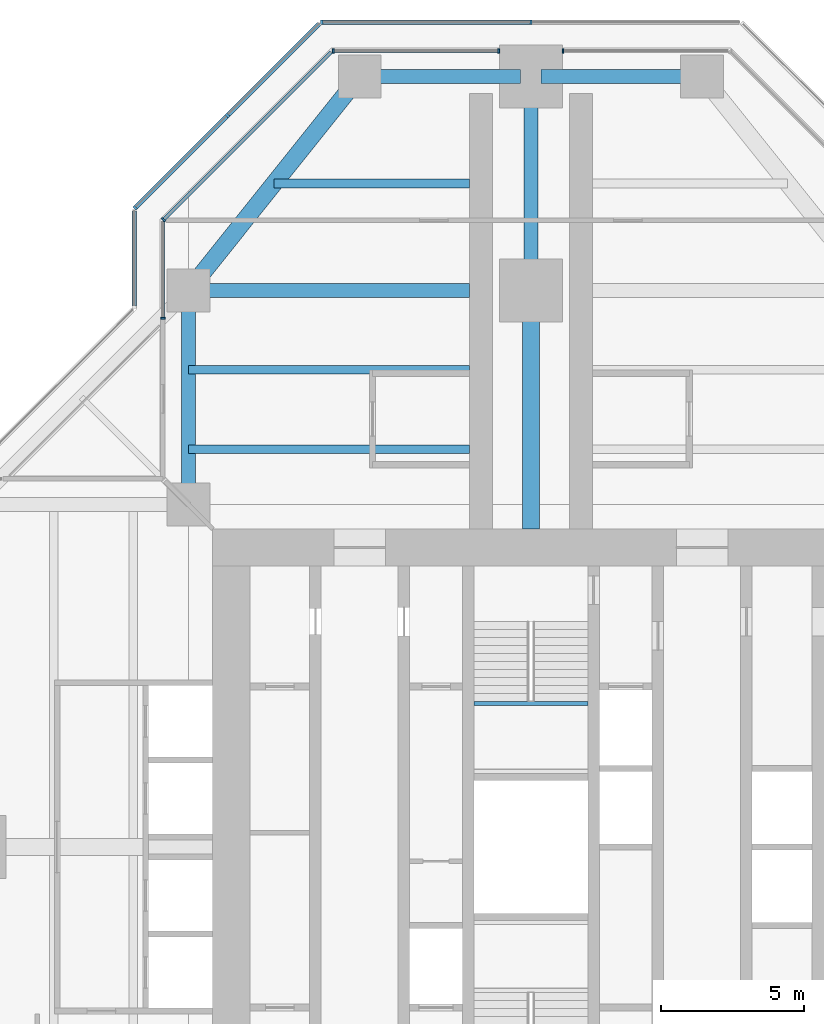
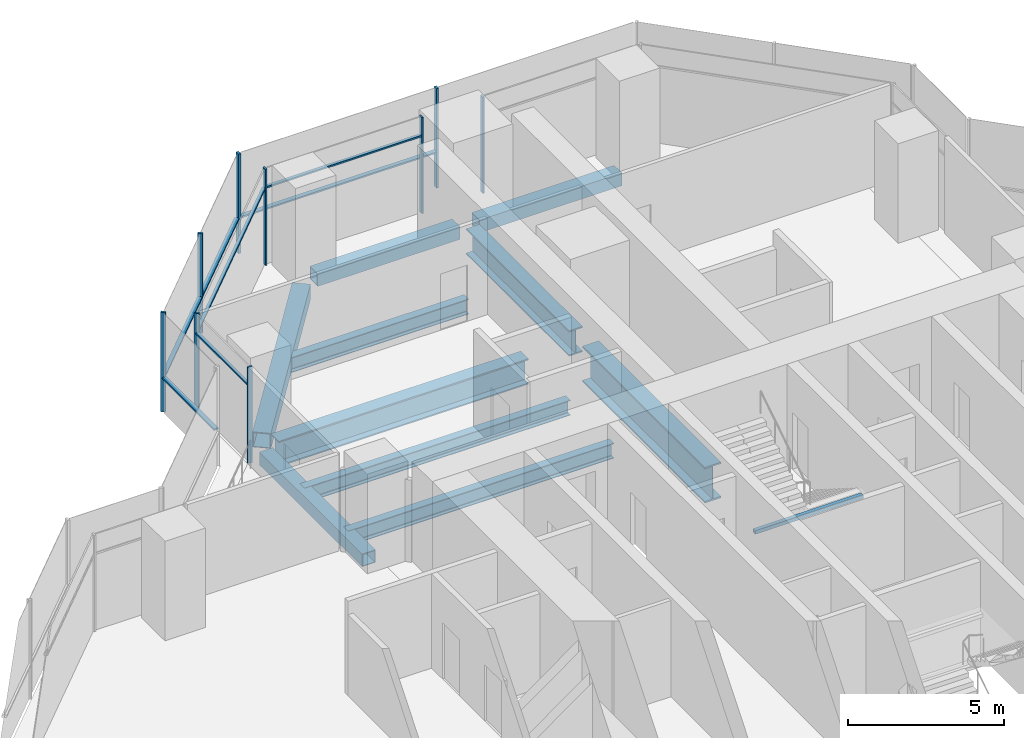
# One storey, part 7 of 17: 16 members, 11 beams, 7 elements without a shape of their own.
"""IFC4 building model written with IfcOpenShell, lengths in metres."""

from ifc_helpers import new_model, si_unit, direction, frame, origin, origin_2d, place, context, subcontext, project, spatial, rectangle, hollow_rectangle, i_section, extrude, material, material_profile, profile_set, type_object, element, aggregate, save


model = new_model("IFC4")

# Units and contexts
model_context = context("Model", 3, precision=1e-05, world=origin(), true_north=direction((0.0, 1.0)))
body_context = subcontext(model_context, "Body", "Model", "MODEL_VIEW")
ifc_project = project(units=[si_unit("LENGTHUNIT", "METRE"), si_unit("AREAUNIT", "SQUARE_METRE"), si_unit("VOLUMEUNIT", "CUBIC_METRE"), si_unit("PLANEANGLEUNIT", "RADIAN"), si_unit("MASSUNIT", "GRAM", prefix="KILO")], contexts=[model_context])

# Site, building, storey
site_placement = place(None, origin())
site = spatial("IfcSite", under=ifc_project, at=site_placement, CompositionType="ELEMENT")
building_placement = place(site_placement, origin())
building = spatial("IfcBuilding", under=site, at=building_placement, Name="Mizan Broadcast Tower", CompositionType="ELEMENT")
storey_placement = place(building_placement, frame((0.0, 0.0, 228.300048828125)))
storey = spatial("IfcBuildingStorey", under=building, at=storey_placement, Name="L53", CompositionType="ELEMENT", Elevation=228.300048828125)

# Beams
ifc_material_1 = material(Name="Steel S355", Category="steel")
ifc_material_profile_1 = material_profile(ifc_material_1, hollow_rectangle(XDim=0.5, YDim=0.5, WallThickness=0.030029296875, at=origin_2d()), Name="BOX 500x500x30")
ifc_profile_set_1 = profile_set([ifc_material_profile_1], Name="Steel S355")
beam_type_1 = type_object("IfcBeamType", Name="EDGE BEAM BOX 500x500x30", PredefinedType="SPANDREL", material=ifc_profile_set_1)
beam_1_placement = place(storey_placement, frame((5.639892578125, 27.0, -0.380126953125), z_axis=(-1.0, 0.0, 0.0), x_axis=(0.0, -1.0, 0.0)))
element("IfcBeam", 1, at=beam_1_placement, inside=storey, type_object=beam_type_1, Name="Edge beam BOX 500x500x30 L53 north arm", PredefinedType="SPANDREL", context=body_context, shape_type="SweptSolid", body=[
    extrude(hollow_rectangle(XDim=0.5, YDim=0.5, WallThickness=0.030029296875, at=origin_2d()), origin(), (0.0, 0.0, 1.0), 5.27978515625),
])
beam_2_placement = place(storey_placement, frame((-12.0, 12.449951171875, -0.380126953125), z_axis=(0.0, 1.0, 0.0), x_axis=(-1.0, 0.0, 0.0)))
element("IfcBeam", 2, at=beam_2_placement, inside=storey, type_object=beam_type_1, Name="Edge beam BOX 500x500x30 L53 north arm", PredefinedType="SPANDREL", context=body_context, shape_type="SweptSolid", body=[
    extrude(hollow_rectangle(XDim=0.5, YDim=0.5, WallThickness=0.030029296875, at=origin_2d()), origin(), (0.0, 0.0, 1.0), 6.60009765625),
])
beam_3_placement = place(storey_placement, frame((-5.639892578125, 27.0, -0.380126953125), z_axis=(1.0, 0.0, 0.0), x_axis=(0.0, 1.0, 0.0)))
element("IfcBeam", 3, at=beam_3_placement, inside=storey, type_object=beam_type_1, Name="Edge beam BOX 500x500x30 L53 north arm", PredefinedType="SPANDREL", context=body_context, shape_type="SweptSolid", body=[
    extrude(hollow_rectangle(XDim=0.5, YDim=0.5, WallThickness=0.030029296875, at=origin_2d()), origin(), (0.0, 0.0, 1.0), 5.27978515625),
])
ifc_material_2 = material(Name="Steel S355", Category="steel")
ifc_material_profile_2 = material_profile(ifc_material_2, hollow_rectangle(XDim=0.60009765625, YDim=0.60009765625, WallThickness=0.030029296875, at=origin_2d()), Name="BOX 600x600x30")
ifc_profile_set_2 = profile_set([ifc_material_profile_2], Name="Steel S355")
beam_type_2 = type_object("IfcBeamType", Name="EDGE BEAM BOX 600x600x30", PredefinedType="SPANDREL", material=ifc_profile_set_2)
beam_4_placement = place(storey_placement, frame((-11.639892578125, 19.949951171875, -0.429931640625), z_axis=(0.624673911726, 0.780885717636, 0.0), x_axis=(-0.780885717636, 0.624673911726, 0.0)))
element("IfcBeam", 4, at=beam_4_placement, inside=storey, type_object=beam_type_2, Name="Edge beam BOX 600x600x30 L53 north arm", PredefinedType="SPANDREL", context=body_context, shape_type="SweptSolid", body=[
    extrude(hollow_rectangle(XDim=0.60009765625, YDim=0.60009765625, WallThickness=0.030029296875, at=origin_2d()), origin(), (0.0, 0.0, 1.0), 8.4521484375),
])
ifc_material_3 = material(Name="Steel S460", Category="steel")
ifc_material_profile_3 = material_profile(ifc_material_3, i_section(OverallWidth=0.5, OverallDepth=1.0, WebThickness=0.02490234375, FlangeThickness=0.050048828125, at=origin_2d()), Name="WPG 1000x500")
ifc_profile_set_3 = profile_set([ifc_material_profile_3], Name="Steel S460")
beam_type_3 = type_object("IfcBeamType", Name="GIRDER WPG 1000x500", PredefinedType="BEAM", material=ifc_profile_set_3)
beam_5_placement = place(storey_placement, frame((0.0, 19.949951171875, -0.630126953125), z_axis=(0.0, 1.0, 0.0), x_axis=(-1.0, 0.0, 0.0)))
element("IfcBeam", 5, at=beam_5_placement, inside=storey, type_object=beam_type_3, Name="Girder WPG 1000x500 L53 north arm", PredefinedType="BEAM", context=body_context, shape_type="SweptSolid", body=[
    extrude(i_section(OverallWidth=0.5, OverallDepth=1.0, WebThickness=0.02490234375, FlangeThickness=0.050048828125, at=origin_2d()), origin(), (0.0, 0.0, 1.0), 6.60009765625),
])
beam_6_placement = place(storey_placement, frame((-11.408935546875, 19.5, -0.630126953125), z_axis=(1.0, 0.0, 0.0), x_axis=(0.0, 1.0, 0.0)))
element("IfcBeam", 6, at=beam_6_placement, inside=storey, type_object=beam_type_3, Name="Girder WPG 1000x500 L53 north arm", PredefinedType="BEAM", context=body_context, shape_type="SweptSolid", body=[
    extrude(i_section(OverallWidth=0.5, OverallDepth=1.0, WebThickness=0.02490234375, FlangeThickness=0.050048828125, at=origin_2d()), origin(), (0.0, 0.0, 1.0), 9.259033203125),
])
ifc_material_4 = material(Name="Steel S460", Category="steel")
ifc_material_profile_4 = material_profile(ifc_material_4, i_section(OverallWidth=0.60009765625, OverallDepth=1.39990234375, WebThickness=0.02490234375, FlangeThickness=0.06005859375, at=origin_2d()), Name="WPG 1400x600")
ifc_profile_set_4 = profile_set([ifc_material_profile_4], Name="Steel S460")
beam_type_4 = type_object("IfcBeamType", Name="GIRDER WPG 1400x600", PredefinedType="BEAM", material=ifc_profile_set_4)
beam_7_placement = place(storey_placement, frame((0.0, 11.14990234375, -0.830078125), z_axis=(0.0, 1.0, 0.0), x_axis=(-1.0, 0.0, 0.0)))
element("IfcBeam", 7, at=beam_7_placement, inside=storey, type_object=beam_type_4, Name="Girder WPG 1400x600 L53 north arm", PredefinedType="BEAM", context=body_context, shape_type="SweptSolid", body=[
    extrude(i_section(OverallWidth=0.60009765625, OverallDepth=1.39990234375, WebThickness=0.02490234375, FlangeThickness=0.06005859375, at=origin_2d()), origin(), (0.0, 0.0, 1.0), 7.84912109375),
])

# Curtain wall, member
ifc_material_5 = material(Name="Aluminium framed glazing", Category="aluminium")
curtain_wall_type_1 = type_object("IfcCurtainWallType", Name="INNER SKIN HIGH ZONE", PredefinedType="USERDEFINED", material=ifc_material_5)
curtain_wall_1_placement = place(storey_placement, origin())
curtain_wall_1 = element("IfcCurtainWall", 8, at=curtain_wall_1_placement, inside=storey, type_object=curtain_wall_type_1, Name="Inner skin high zone L53 N end", ObjectType="INNER SKIN HIGH ZONE", PredefinedType="USERDEFINED")
ifc_material_6 = material(Name="Aluminium, pale anodised", Category="aluminium")
ifc_material_profile_5 = material_profile(ifc_material_6, rectangle(XDim=0.159912109375, YDim=0.06005859375, at=origin_2d()), Name="MULLION 160x60")
ifc_profile_set_5 = profile_set([ifc_material_profile_5], Name="Aluminium, pale anodised")
member_type_1 = type_object("IfcMemberType", Name="INNER SKIN MULLION 60x160", PredefinedType="MULLION", material=ifc_profile_set_5)
member_1_placement = place(storey_placement, frame((1.1298828125, 27.89990234375, 0.0), z_axis=(0.0, 0.0, 1.0), x_axis=(0.0, -1.0, 0.0)))
member_1 = element("IfcMember", 9, at=member_1_placement, type_object=member_type_1, Name="Inner skin high zone L53 N end mullion 2", PredefinedType="MULLION", context=body_context, shape_type="SweptSolid", body=[
    extrude(rectangle(XDim=0.159912109375, YDim=0.06005859375, at=origin_2d()), origin(), (0.0, 0.0, 1.0), 3.77001953125),
])
aggregate(curtain_wall_1, [member_1])

# Curtain wall, members
curtain_wall_2_placement = place(storey_placement, origin())
curtain_wall_2 = element("IfcCurtainWall", 10, at=curtain_wall_2_placement, inside=storey, type_object=curtain_wall_type_1, Name="Inner skin high zone L53 N end", ObjectType="INNER SKIN HIGH ZONE", PredefinedType="USERDEFINED")
member_2_placement = place(storey_placement, frame((-1.1298828125, 27.89990234375, 0.0), z_axis=(0.0, 0.0, 1.0), x_axis=(0.0, -1.0, 0.0)))
member_2 = element("IfcMember", 11, at=member_2_placement, type_object=member_type_1, Name="Inner skin high zone L53 N end mullion 1", PredefinedType="MULLION", context=body_context, shape_type="SweptSolid", body=[
    extrude(rectangle(XDim=0.159912109375, YDim=0.06005859375, at=origin_2d()), origin(), (0.0, 0.0, 1.0), 3.77001953125),
])
member_3_placement = place(storey_placement, frame((-6.928466796875, 27.89990234375, 0.0), z_axis=(0.0, 0.0, 1.0), x_axis=(0.0, -1.0, 0.0)))
member_3 = element("IfcMember", 12, at=member_3_placement, type_object=member_type_1, Name="Inner skin high zone L53 N end mullion 2", PredefinedType="MULLION", context=body_context, shape_type="SweptSolid", body=[
    extrude(rectangle(XDim=0.159912109375, YDim=0.06005859375, at=origin_2d()), origin(), (0.0, 0.0, 1.0), 3.77001953125),
])

# Curtain wall, member
curtain_wall_3_placement = place(storey_placement, origin())
curtain_wall_3 = element("IfcCurtainWall", 13, at=curtain_wall_3_placement, inside=storey, type_object=curtain_wall_type_1, Name="Inner skin high zone L53 N chamfer", ObjectType="INNER SKIN HIGH ZONE", PredefinedType="USERDEFINED")
member_4_placement = place(storey_placement, frame((-12.87890625, 21.979736328125, 0.0), z_axis=(0.0, 0.0, 1.0), x_axis=(0.707106781187, -0.707106781187, 0.0)))
member_4 = element("IfcMember", 14, at=member_4_placement, type_object=member_type_1, Name="Inner skin high zone L53 N chamfer mullion 2", PredefinedType="MULLION", context=body_context, shape_type="SweptSolid", body=[
    extrude(rectangle(XDim=0.159912109375, YDim=0.06005859375, at=origin_2d()), origin(), (0.0, 0.0, 1.0), 3.77001953125),
])

curtain_wall_4_placement = place(storey_placement, origin())
curtain_wall_4 = element("IfcCurtainWall", 15, at=curtain_wall_4_placement, inside=storey, type_object=curtain_wall_type_1, Name="Inner skin high zone L53 N side", ObjectType="INNER SKIN HIGH ZONE", PredefinedType="USERDEFINED")
member_5_placement = place(storey_placement, frame((-12.89990234375, 18.530029296875, 0.0), z_axis=(0.0, 0.0, 1.0), x_axis=(1.0, 0.0, 0.0)))
member_5 = element("IfcMember", 16, at=member_5_placement, type_object=member_type_1, Name="Inner skin high zone L53 N side mullion 2", PredefinedType="MULLION", context=body_context, shape_type="SweptSolid", body=[
    extrude(rectangle(XDim=0.159912109375, YDim=0.06005859375, at=origin_2d()), origin(), (0.0, 0.0, 1.0), 3.77001953125),
])

# Member
ifc_material_7 = material(Name="Aluminium, pale anodised", Category="aluminium")
ifc_material_profile_6 = material_profile(ifc_material_7, rectangle(XDim=0.1201171875, YDim=0.06005859375, at=origin_2d()), Name="TRANSOM 120x60")
ifc_profile_set_6 = profile_set([ifc_material_profile_6], Name="Aluminium, pale anodised")
member_type_2 = type_object("IfcMemberType", Name="INNER SKIN TRANSOM 60x120", PredefinedType="USERDEFINED", material=ifc_profile_set_6)
member_6_placement = place(storey_placement, frame((-1.159912109375, 27.89990234375, 3.030029296875), z_axis=(-1.0, 0.0, 0.0), x_axis=(0.0, -1.0, 0.0)))
member_6 = element("IfcMember", 17, at=member_6_placement, type_object=member_type_2, Name="Inner skin high zone L53 N end transom 1.1", ObjectType="TRANSOM", PredefinedType="USERDEFINED", context=body_context, shape_type="SweptSolid", body=[
    extrude(rectangle(XDim=0.1201171875, YDim=0.06005859375, at=origin_2d()), origin(), (0.0, 0.0, 1.0), 5.73876953125),
])

aggregate(curtain_wall_2, [member_2, member_3, member_6])

member_7_placement = place(storey_placement, frame((-7.0009765625, 27.857666015625, 3.030029296875), z_axis=(-0.707106781187, -0.707106781187, 0.0), x_axis=(0.707106781187, -0.707106781187, 0.0)))
member_7 = element("IfcMember", 18, at=member_7_placement, type_object=member_type_2, Name="Inner skin high zone L53 N chamfer transom 1.1", ObjectType="TRANSOM", PredefinedType="USERDEFINED", context=body_context, shape_type="SweptSolid", body=[
    extrude(rectangle(XDim=0.1201171875, YDim=0.06005859375, at=origin_2d()), origin(), (0.0, 0.0, 1.0), 8.28271484375),
])

aggregate(curtain_wall_3, [member_4, member_7])

member_8_placement = place(storey_placement, frame((-12.89990234375, 21.898681640625, 3.030029296875), z_axis=(0.0, -1.0, 0.0), x_axis=(1.0, 0.0, 0.0)))
member_8 = element("IfcMember", 19, at=member_8_placement, type_object=member_type_2, Name="Inner skin high zone L53 N side transom 1.1", ObjectType="TRANSOM", PredefinedType="USERDEFINED", context=body_context, shape_type="SweptSolid", body=[
    extrude(rectangle(XDim=0.1201171875, YDim=0.06005859375, at=origin_2d()), origin(), (0.0, 0.0, 1.0), 3.338623046875),
])

aggregate(curtain_wall_4, [member_5, member_8])

# Beam
ifc_material_8 = material(Name="Steel S355", Category="steel")
ifc_material_profile_7 = material_profile(ifc_material_8, hollow_rectangle(XDim=0.14990234375, YDim=0.14990234375, WallThickness=0.008056640625, InnerFilletRadius=0.008056640625, OuterFilletRadius=0.011962890625, at=origin_2d()), Name="SHS 150x150x8")
ifc_profile_set_7 = profile_set([ifc_material_profile_7], Name="Steel S355")
beam_type_5 = type_object("IfcBeamType", Name="LANDING TRIMMER SHS 150x150x8", PredefinedType="BEAM", material=ifc_profile_set_7)
beam_8_placement = place(storey_placement, frame((2.0, 5.02490234375, 1.675048828125), z_axis=(-1.0, 0.0, 0.0), x_axis=(0.0, -1.0, 0.0)))
element("IfcBeam", 20, at=beam_8_placement, inside=storey, type_object=beam_type_5, Name="Stair B landing trimmer L53", PredefinedType="BEAM", context=body_context, shape_type="SweptSolid", body=[
    extrude(hollow_rectangle(XDim=0.14990234375, YDim=0.14990234375, WallThickness=0.008056640625, InnerFilletRadius=0.008056640625, OuterFilletRadius=0.011962890625, at=origin_2d()), origin(), (0.0, 0.0, 1.0), 4.0),
])

# Curtain wall, members
ifc_material_9 = material(Name="Aluminium framed glazing", Category="aluminium")
curtain_wall_type_2 = type_object("IfcCurtainWallType", Name="OUTER SKIN", PredefinedType="USERDEFINED", material=ifc_material_9)
curtain_wall_5_placement = place(storey_placement, origin())
curtain_wall_5 = element("IfcCurtainWall", 21, at=curtain_wall_5_placement, inside=storey, type_object=curtain_wall_type_2, Name="Outer skin L53 N end", ObjectType="OUTER SKIN", PredefinedType="USERDEFINED")
ifc_material_10 = material(Name="Aluminium, pale anodised", Category="aluminium")
ifc_material_profile_8 = material_profile(ifc_material_10, rectangle(XDim=0.159912109375, YDim=0.080078125, at=origin_2d()), Name="MULLION 160x80")
ifc_profile_set_8 = profile_set([ifc_material_profile_8], Name="Aluminium, pale anodised")
member_type_3 = type_object("IfcMemberType", Name="OUTER SKIN MULLION 80x160", PredefinedType="MULLION", material=ifc_profile_set_8)
member_9_placement = place(storey_placement, frame((0.0, 28.89990234375, 0.0), z_axis=(0.0, 0.0, 1.0), x_axis=(0.0, -1.0, 0.0)))
member_9 = element("IfcMember", 22, at=member_9_placement, type_object=member_type_3, Name="Outer skin L53 N end mullion 2", PredefinedType="MULLION", context=body_context, shape_type="SweptSolid", body=[
    extrude(rectangle(XDim=0.159912109375, YDim=0.080078125, at=origin_2d()), origin(), (0.0, 0.0, 1.0), 3.89990234375),
])
member_10_placement = place(storey_placement, frame((-7.332763671875, 28.89990234375, 0.0), z_axis=(0.0, 0.0, 1.0), x_axis=(0.0, -1.0, 0.0)))
member_10 = element("IfcMember", 23, at=member_10_placement, type_object=member_type_3, Name="Outer skin L53 N end mullion 3", PredefinedType="MULLION", context=body_context, shape_type="SweptSolid", body=[
    extrude(rectangle(XDim=0.159912109375, YDim=0.080078125, at=origin_2d()), origin(), (0.0, 0.0, 1.0), 3.89990234375),
])

curtain_wall_6_placement = place(storey_placement, origin())
curtain_wall_6 = element("IfcCurtainWall", 24, at=curtain_wall_6_placement, inside=storey, type_object=curtain_wall_type_2, Name="Outer skin L53 N chamfer", ObjectType="OUTER SKIN", PredefinedType="USERDEFINED")
member_11_placement = place(storey_placement, frame((-10.636474609375, 25.636474609375, 0.0), z_axis=(0.0, 0.0, 1.0), x_axis=(0.707106781187, -0.707106781187, 0.0)))
member_11 = element("IfcMember", 25, at=member_11_placement, type_object=member_type_3, Name="Outer skin L53 N chamfer mullion 2", PredefinedType="MULLION", context=body_context, shape_type="SweptSolid", body=[
    extrude(rectangle(XDim=0.159912109375, YDim=0.080078125, at=origin_2d()), origin(), (0.0, 0.0, 1.0), 3.89990234375),
])
member_12_placement = place(storey_placement, frame((-13.871826171875, 22.401123046875, 0.0), z_axis=(0.0, 0.0, 1.0), x_axis=(0.707106781187, -0.707106781187, 0.0)))
member_12 = element("IfcMember", 26, at=member_12_placement, type_object=member_type_3, Name="Outer skin L53 N chamfer mullion 3", PredefinedType="MULLION", context=body_context, shape_type="SweptSolid", body=[
    extrude(rectangle(XDim=0.159912109375, YDim=0.080078125, at=origin_2d()), origin(), (0.0, 0.0, 1.0), 3.89990234375),
])

# Member
ifc_material_11 = material(Name="Aluminium, pale anodised", Category="aluminium")
ifc_material_profile_9 = material_profile(ifc_material_11, rectangle(XDim=0.159912109375, YDim=0.06005859375, at=origin_2d()), Name="TRANSOM 160x60")
ifc_profile_set_9 = profile_set([ifc_material_profile_9], Name="Aluminium, pale anodised")
member_type_4 = type_object("IfcMemberType", Name="OUTER SKIN TRANSOM 60x160", PredefinedType="USERDEFINED", material=ifc_profile_set_9)
member_13_placement = place(storey_placement, frame((-0.0400390625, 28.89990234375, 1.39990234375), z_axis=(-1.0, 0.0, 0.0), x_axis=(0.0, -1.0, 0.0)))
member_13 = element("IfcMember", 27, at=member_13_placement, type_object=member_type_4, Name="Outer skin L53 N end transom 2.1", ObjectType="TRANSOM", PredefinedType="USERDEFINED", context=body_context, shape_type="SweptSolid", body=[
    extrude(rectangle(XDim=0.159912109375, YDim=0.06005859375, at=origin_2d()), origin(), (0.0, 0.0, 1.0), 7.252685546875),
])

aggregate(curtain_wall_5, [member_9, member_10, member_13])

member_14_placement = place(storey_placement, frame((-7.429443359375, 28.843505859375, 1.39990234375), z_axis=(-0.707106781187, -0.707106781187, 0.0), x_axis=(0.707106781187, -0.707106781187, 0.0)))
member_14 = element("IfcMember", 28, at=member_14_placement, type_object=member_type_4, Name="Outer skin L53 N chamfer transom 1.1", ObjectType="TRANSOM", PredefinedType="USERDEFINED", context=body_context, shape_type="SweptSolid", body=[
    extrude(rectangle(XDim=0.159912109375, YDim=0.06005859375, at=origin_2d()), origin(), (0.0, 0.0, 1.0), 4.495361328125),
])

member_15_placement = place(storey_placement, frame((-10.664794921875, 25.608154296875, 1.39990234375), z_axis=(-0.707106781187, -0.707106781187, 0.0), x_axis=(0.707106781187, -0.707106781187, 0.0)))
member_15 = element("IfcMember", 29, at=member_15_placement, type_object=member_type_4, Name="Outer skin L53 N chamfer transom 2.1", ObjectType="TRANSOM", PredefinedType="USERDEFINED", context=body_context, shape_type="SweptSolid", body=[
    extrude(rectangle(XDim=0.159912109375, YDim=0.06005859375, at=origin_2d()), origin(), (0.0, 0.0, 1.0), 4.495361328125),
])

aggregate(curtain_wall_6, [member_11, member_12, member_14, member_15])

# Curtain wall, member
curtain_wall_7_placement = place(storey_placement, origin())
curtain_wall_7 = element("IfcCurtainWall", 30, at=curtain_wall_7_placement, inside=storey, type_object=curtain_wall_type_2, Name="Outer skin L53 N side", ObjectType="OUTER SKIN", PredefinedType="USERDEFINED")
member_16_placement = place(storey_placement, frame((-13.89990234375, 22.292724609375, 1.39990234375), z_axis=(0.0, -1.0, 0.0), x_axis=(1.0, 0.0, 0.0)))
member_16 = element("IfcMember", 31, at=member_16_placement, type_object=member_type_4, Name="Outer skin L53 N side transom 1.1", ObjectType="TRANSOM", PredefinedType="USERDEFINED", context=body_context, shape_type="SweptSolid", body=[
    extrude(rectangle(XDim=0.159912109375, YDim=0.06005859375, at=origin_2d()), origin(), (0.0, 0.0, 1.0), 3.33984375),
])
aggregate(curtain_wall_7, [member_16])

# Beams
ifc_material_12 = material(Name="Steel S355", Category="steel")
ifc_material_profile_10 = material_profile(ifc_material_12, i_section(OverallWidth=0.300048828125, OverallDepth=0.590087890625, WebThickness=0.012939453125, FlangeThickness=0.02490234375, FilletRadius=0.027099609375, at=origin_2d()), Name="HEA 600")
ifc_profile_set_10 = profile_set([ifc_material_profile_10], Name="Steel S355")
beam_type_6 = type_object("IfcBeamType", Name="SECONDARY BEAM HEA 600", PredefinedType="JOIST", material=ifc_profile_set_10)
for number, where, z_axis, x_axis, name in (
    (32, (-12.0, 13.933349609375, -0.425048828125), (1.0, 0.0, 0.0), (0.0, 1.0, 0.0), "Secondary beam HEA 600 L53 north arm"),
    (33, (-12.0, 16.716552734375, -0.425048828125), (1.0, 0.0, 0.0), (0.0, 1.0, 0.0), "Secondary beam HEA 600 L53 north arm"),
):
    element("IfcBeam", number, at=place(storey_placement, frame(where, z_axis=z_axis, x_axis=x_axis)), inside=storey, type_object=beam_type_6, Name=name, PredefinedType="JOIST", context=body_context, shape_type="SweptSolid", body=[
        extrude(i_section(OverallWidth=0.300048828125, OverallDepth=0.590087890625, WebThickness=0.012939453125, FlangeThickness=0.02490234375, FilletRadius=0.027099609375, at=origin_2d()), origin(), (0.0, 0.0, 1.0), 9.85009765625),
    ])
beam_9_placement = place(storey_placement, frame((-9.0, 23.25, -0.425048828125), z_axis=(1.0, 0.0, 0.0), x_axis=(0.0, 1.0, 0.0)))
element("IfcBeam", 34, at=beam_9_placement, inside=storey, type_object=beam_type_6, Name="Secondary beam HEA 600 L53 north arm", PredefinedType="JOIST", context=body_context, shape_type="SweptSolid", body=[
    extrude(i_section(OverallWidth=0.300048828125, OverallDepth=0.590087890625, WebThickness=0.012939453125, FlangeThickness=0.02490234375, FilletRadius=0.027099609375, at=origin_2d()), origin(), (0.0, 0.0, 1.0), 6.85009765625),
])

save(model, "model.ifc")
